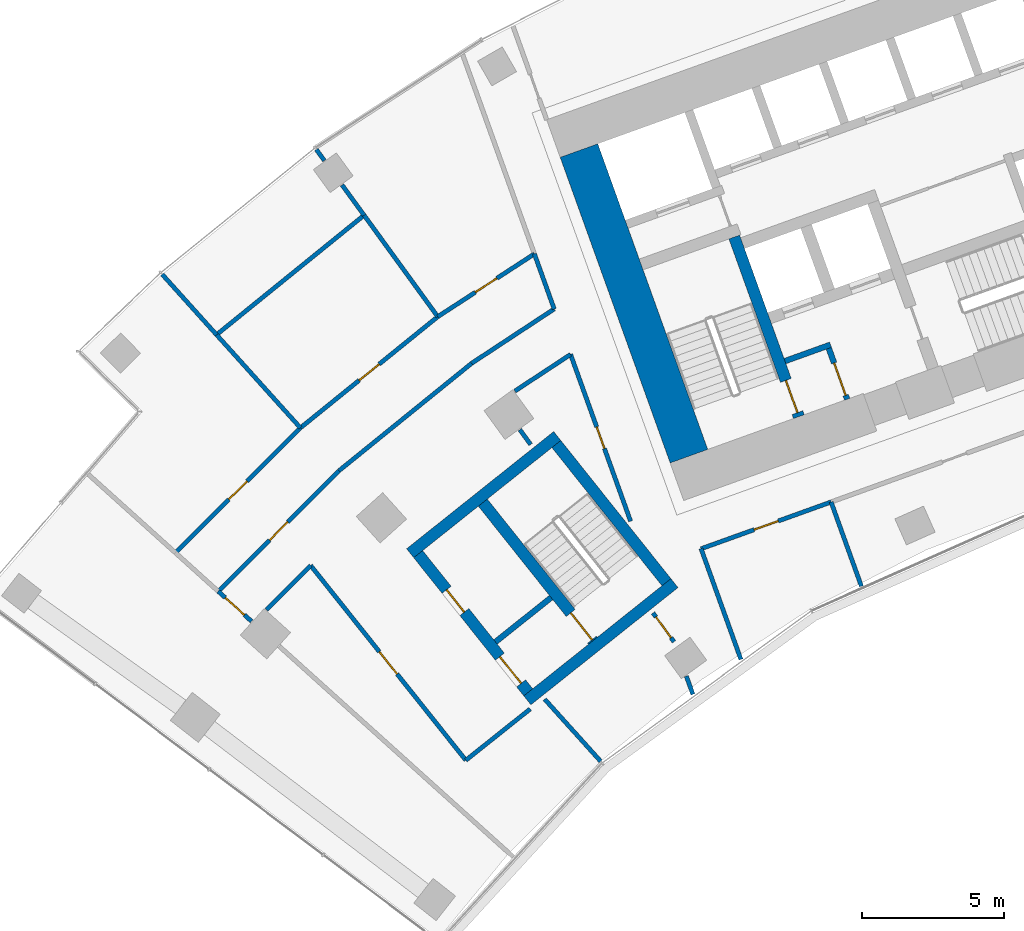
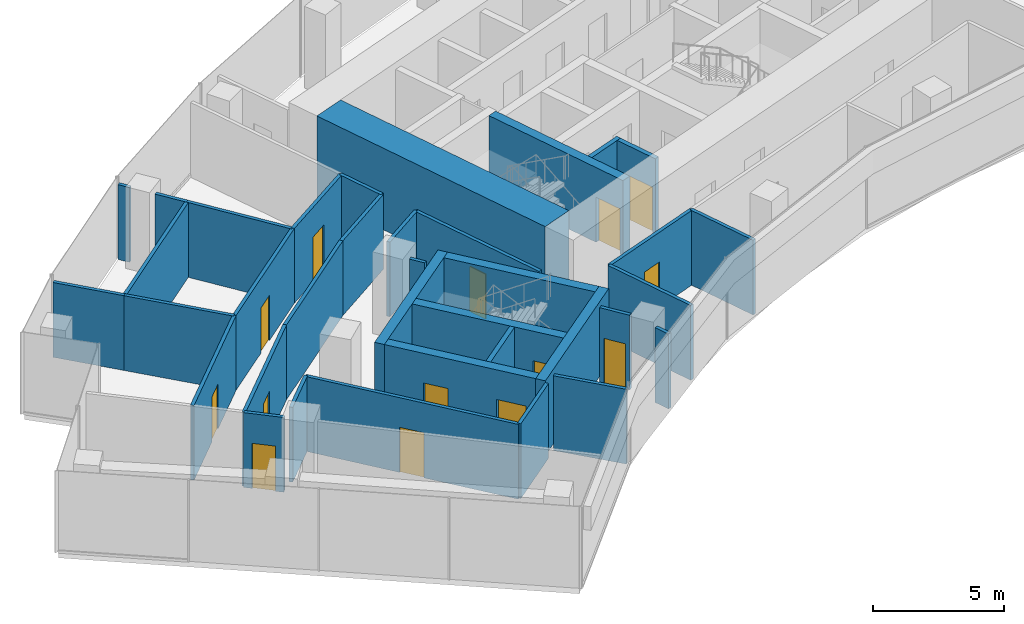
# One storey, part 13 of 20: 36 walls, 14 doors, 14 openings.
"""IFC4 building model written with IfcOpenShell, lengths in metres."""

from ifc_helpers import new_model, si_unit, direction, frame, frame_2d, origin, place, context, subcontext, project, spatial, rectangle, extrude, material, layer, layer_set, type_object, element, fill, save


model = new_model("IFC4")

# Units and contexts
model_context = context("Model", 3, precision=1e-05, world=origin(), true_north=direction((0.0, 1.0)))
body_context = subcontext(model_context, "Body", "Model", "MODEL_VIEW")
ifc_project = project(units=[si_unit("LENGTHUNIT", "METRE"), si_unit("AREAUNIT", "SQUARE_METRE"), si_unit("VOLUMEUNIT", "CUBIC_METRE"), si_unit("PLANEANGLEUNIT", "RADIAN"), si_unit("MASSUNIT", "GRAM", prefix="KILO")], contexts=[model_context])

# Site, building, storey
site_placement = place(None, origin())
site = spatial("IfcSite", under=ifc_project, at=site_placement, CompositionType="ELEMENT")
building_placement = place(site_placement, origin())
building = spatial("IfcBuilding", under=site, at=building_placement, Name="Stone Belt Terrace Tower", CompositionType="ELEMENT")
storey_placement = place(building_placement, frame((0.0, 0.0, 170.60009765625)))
storey = spatial("IfcBuildingStorey", under=building, at=storey_placement, Name="L41", CompositionType="ELEMENT", Elevation=170.60009765625)

# Walls
ifc_material_1 = material(Name="Concrete B80", Category="concrete")
ifc_layer_1 = layer(ifc_material_1, 1.39990234375)
ifc_layer_set_1 = layer_set([ifc_layer_1], Name="Core wall 1400 B80")
wall_type_1 = type_object("IfcWallType", Name="Core wall 1400 B80", PredefinedType="SHEAR", material=ifc_layer_set_1)
wall_1_placement = place(storey_placement, frame((-26.00927734375, 43.03515625, 0.0), z_axis=(0.0, 0.0, 1.0), x_axis=(-0.338625431531, 0.940921259788, 0.0)))
element("IfcWall", 1, at=wall_1_placement, inside=storey, type_object=wall_type_1, Name="Core A wall end_a L41", PredefinedType="SHEAR", context=body_context, shape_type="SweptSolid", body=[
    extrude(rectangle(XDim=11.400146484375, YDim=1.39990234375, at=frame_2d((5.7001953125, 0.0))), origin(), (0.0, 0.0, 1.0), 3.7998046875),
])
ifc_material_2 = material(Name="Gypsum board partition")
ifc_layer_2 = layer(ifc_material_2, 0.14990234375)
ifc_layer_set_2 = layer_set([ifc_layer_2], Name="PARTITION 150 EI 60")
wall_type_2 = type_object("IfcWallType", Name="PARTITION 150 EI 60", PredefinedType="PARTITIONING", material=ifc_layer_set_2)
wall_2_placement = place(storey_placement, frame((-25.5859375, 39.79296875, 0.0), z_axis=(0.0, 0.0, 1.0), x_axis=(0.338545933013, -0.940949866486, 0.0)))
element("IfcWall", 2, at=wall_2_placement, inside=storey, type_object=wall_type_2, Name="L41/wall/i001", PredefinedType="PARTITIONING", context=body_context, shape_type="SweptSolid", body=[
    extrude(rectangle(XDim=4.135009765625, YDim=0.14990234375, at=frame_2d((2.0673828125, 0.0))), origin(), (0.0, 0.0, 1.0), 3.47998046875),
])

# Wall, opening, door
wall_3_placement = place(storey_placement, frame((-28.05810546875, 40.75390625, 0.0), z_axis=(0.0, 0.0, 1.0), x_axis=(-0.338523697563, 0.94095786632, 0.0)))
wall_3 = element("IfcWall", 3, at=wall_3_placement, inside=storey, type_object=wall_type_2, Name="L41/wall/i003", PredefinedType="PARTITIONING", context=body_context, shape_type="SweptSolid", body=[
    extrude(rectangle(XDim=6.226806640625, YDim=0.14990234375, at=frame_2d((3.11328125, 0.0))), origin(), (0.0, 0.0, 1.0), 3.47998046875),
])
opening_1_placement = place(wall_3_placement, frame((2.71337890625, 0.0, 0.0)))
opening_1 = element("IfcOpeningElement", 4, at=opening_1_placement, cuts=wall_3, Name="Opening D-C3-12", PredefinedType="OPENING", context=body_context, shape_type="SweptSolid", body=[
    extrude(rectangle(XDim=0.800048828125, YDim=2.10009765625, at=frame_2d((0.39990234375, 1.050048828125))), frame((0.0, 0.0849609375, 0.0), z_axis=(0.0, -1.0, 0.0), x_axis=(1.0, 0.0, 0.0)), (0.0, 0.0, 1.0), 0.169921875),
])
ifc_material_3 = material(Name="Timber door leaf", Category="wood")
door_type_1 = type_object("IfcDoorType", Name="STORE DOOR 800 X 2100", OperationType="NOTDEFINED", PredefinedType="DOOR", material=ifc_material_3)
door_1_placement = place(opening_1_placement, origin())
door_1 = element("IfcDoor", 5, at=door_1_placement, inside=storey, type_object=door_type_1, Name="L41/door/i12", OperationType="SINGLE_SWING_RIGHT", OverallHeight=2.10009765625, OverallWidth=0.800048828125, PredefinedType="DOOR", context=body_context, shape_type="SweptSolid", body=[
    extrude(rectangle(XDim=0.800048828125, YDim=2.10009765625, at=frame_2d((0.39990234375, 1.050048828125))), frame((0.0, 0.02490234375, 0.0), z_axis=(0.0, -1.0, 0.0), x_axis=(1.0, 0.0, 0.0)), (0.0, 0.0, 1.0), 0.050048828125),
])
fill(opening_1, door_1)

# Wall
wall_4_placement = place(storey_placement, frame((-25.870849609375, 34.67822265625, 0.0), z_axis=(0.0, 0.0, 1.0), x_axis=(-0.338744881741, 0.940878262632, 0.0)))
element("IfcWall", 6, at=wall_4_placement, inside=storey, type_object=wall_type_2, Name="L41/wall/i004", PredefinedType="PARTITIONING", context=body_context, shape_type="SweptSolid", body=[
    extrude(rectangle(XDim=0.680419921875, YDim=0.14990234375, at=frame_2d((0.34033203125, 0.0))), origin(), (0.0, 0.0, 1.0), 3.47998046875),
])

# Wall, opening, door
wall_5_placement = place(storey_placement, frame((-26.534912109375, 36.52294921875, 0.0), z_axis=(0.0, 0.0, 1.0), x_axis=(-0.58822969918, 0.80869389821, 0.0)))
wall_5 = element("IfcWall", 7, at=wall_5_placement, inside=storey, type_object=wall_type_2, Name="L41/wall/i005", PredefinedType="PARTITIONING", context=body_context, shape_type="SweptSolid", body=[
    extrude(rectangle(XDim=1.25146484375, YDim=0.14990234375, at=frame_2d((0.625732421875, 0.0))), origin(), (0.0, 0.0, 1.0), 3.47998046875),
])
opening_2_placement = place(wall_5_placement, frame((0.17578125, 0.0, 0.0)))
opening_2 = element("IfcOpeningElement", 8, at=opening_2_placement, cuts=wall_5, Name="Opening D-C3-13", PredefinedType="OPENING", context=body_context, shape_type="SweptSolid", body=[
    extrude(rectangle(XDim=0.89990234375, YDim=2.10009765625, at=frame_2d((0.449951171875, 1.050048828125))), frame((0.0, 0.0849609375, 0.0), z_axis=(0.0, -1.0, 0.0), x_axis=(1.0, 0.0, 0.0)), (0.0, 0.0, 1.0), 0.169921875),
])
door_type_2 = type_object("IfcDoorType", Name="OFFICE DOOR 900 X 2100", OperationType="NOTDEFINED", PredefinedType="DOOR", material=ifc_material_3)
door_2_placement = place(opening_2_placement, origin())
door_2 = element("IfcDoor", 9, at=door_2_placement, inside=storey, type_object=door_type_2, Name="L41/door/i13", OperationType="SINGLE_SWING_RIGHT", OverallHeight=2.10009765625, OverallWidth=0.89990234375, PredefinedType="DOOR", context=body_context, shape_type="SweptSolid", body=[
    extrude(rectangle(XDim=0.89990234375, YDim=2.10009765625, at=frame_2d((0.449951171875, 1.050048828125))), frame((0.0, 0.02490234375, 0.0), z_axis=(0.0, -1.0, 0.0), x_axis=(1.0, 0.0, 0.0)), (0.0, 0.0, 1.0), 0.050048828125),
])
fill(opening_2, door_2)

# Wall
wall_6_placement = place(storey_placement, frame((-30.737060546875, 48.197021484375, 0.0), z_axis=(0.0, 0.0, 1.0), x_axis=(-0.338522672426, 0.940958235127, 0.0)))
element("IfcWall", 10, at=wall_6_placement, inside=storey, type_object=wall_type_2, Name="L41/wall/i006", PredefinedType="PARTITIONING", context=body_context, shape_type="SweptSolid", body=[
    extrude(rectangle(XDim=2.064697265625, YDim=0.14990234375, at=frame_2d((1.0322265625, 0.0))), origin(), (0.0, 0.0, 1.0), 3.47998046875),
])

# Wall, opening, door
wall_7_placement = place(storey_placement, frame((-21.01611328125, 41.430908203125, 0.0), z_axis=(0.0, 0.0, 1.0), x_axis=(-0.940929075781, -0.33860371284, 0.0)))
wall_7 = element("IfcWall", 11, at=wall_7_placement, inside=storey, type_object=wall_type_2, Name="L41/wall/i014", PredefinedType="PARTITIONING", context=body_context, shape_type="SweptSolid", body=[
    extrude(rectangle(XDim=4.854736328125, YDim=0.14990234375, at=frame_2d((2.42724609375, 0.0))), origin(), (0.0, 0.0, 1.0), 3.47998046875),
])
opening_3_placement = place(wall_7_placement, frame((1.977294921875, 0.0, 0.0)))
opening_3 = element("IfcOpeningElement", 12, at=opening_3_placement, cuts=wall_7, Name="Opening D-C3-01", PredefinedType="OPENING", context=body_context, shape_type="SweptSolid", body=[
    extrude(rectangle(XDim=0.89990234375, YDim=2.10009765625, at=frame_2d((0.449951171875, 1.050048828125))), frame((0.0, 0.0849609375, 0.0), z_axis=(0.0, -1.0, 0.0), x_axis=(1.0, 0.0, 0.0)), (0.0, 0.0, 1.0), 0.169921875),
])
door_3_placement = place(opening_3_placement, origin())
door_3 = element("IfcDoor", 13, at=door_3_placement, inside=storey, type_object=door_type_2, Name="L41/door/i01", OperationType="SINGLE_SWING_RIGHT", OverallHeight=2.10009765625, OverallWidth=0.89990234375, PredefinedType="DOOR", context=body_context, shape_type="SweptSolid", body=[
    extrude(rectangle(XDim=0.89990234375, YDim=2.10009765625, at=frame_2d((0.449951171875, 1.050048828125))), frame((0.0, 0.02490234375, 0.0), z_axis=(0.0, -1.0, 0.0), x_axis=(1.0, 0.0, 0.0)), (0.0, 0.0, 1.0), 0.050048828125),
])
fill(opening_3, door_3)

# Wall
wall_8_placement = place(storey_placement, frame((-21.02197265625, 41.428955078125, 0.0), z_axis=(0.0, 0.0, 1.0), x_axis=(0.338524253278, -0.940957666393, 0.0)))
element("IfcWall", 14, at=wall_8_placement, inside=storey, type_object=wall_type_2, Name="L41/wall/i017", PredefinedType="PARTITIONING", context=body_context, shape_type="SweptSolid", body=[
    extrude(rectangle(XDim=3.144287109375, YDim=0.14990234375, at=frame_2d((1.572265625, 0.0))), origin(), (0.0, 0.0, 1.0), 3.47998046875),
])

# Wall, opening, door
wall_9_placement = place(storey_placement, frame((-41.35986328125, 37.240478515625, 0.0), z_axis=(0.0, 0.0, 1.0), x_axis=(-0.742885543222, 0.669418456327, 0.0)))
wall_9 = element("IfcWall", 15, at=wall_9_placement, inside=storey, type_object=wall_type_2, Name="L41/wall/i040", PredefinedType="PARTITIONING", context=body_context, shape_type="SweptSolid", body=[
    extrude(rectangle(XDim=1.5751953125, YDim=0.14990234375, at=frame_2d((0.78759765625, 0.0))), origin(), (0.0, 0.0, 1.0), 3.47998046875),
])
opening_4_placement = place(wall_9_placement, frame((0.337646484375, 0.0, 0.0)))
opening_4 = element("IfcOpeningElement", 16, at=opening_4_placement, cuts=wall_9, Name="Opening D-C3-11", PredefinedType="OPENING", context=body_context, shape_type="SweptSolid", body=[
    extrude(rectangle(XDim=0.89990234375, YDim=2.10009765625, at=frame_2d((0.449951171875, 1.050048828125))), frame((0.0, 0.0849609375, 0.0), z_axis=(0.0, -1.0, 0.0), x_axis=(1.0, 0.0, 0.0)), (0.0, 0.0, 1.0), 0.169921875),
])
door_4_placement = place(opening_4_placement, origin())
door_4 = element("IfcDoor", 17, at=door_4_placement, inside=storey, type_object=door_type_2, Name="L41/door/i11", OperationType="SINGLE_SWING_RIGHT", OverallHeight=2.10009765625, OverallWidth=0.89990234375, PredefinedType="DOOR", context=body_context, shape_type="SweptSolid", body=[
    extrude(rectangle(XDim=0.89990234375, YDim=2.10009765625, at=frame_2d((0.449951171875, 1.050048828125))), frame((0.0, 0.02490234375, 0.0), z_axis=(0.0, -1.0, 0.0), x_axis=(1.0, 0.0, 0.0)), (0.0, 0.0, 1.0), 0.050048828125),
])
fill(opening_4, door_4)

# Walls
wall_10_placement = place(storey_placement, frame((-30.1650390625, 46.60595703125, 0.0), z_axis=(0.0, 0.0, 1.0), x_axis=(-0.835424653074, -0.549604993641, 0.0)))
element("IfcWall", 18, at=wall_10_placement, inside=storey, type_object=wall_type_2, Name="L41/wall/i044", PredefinedType="PARTITIONING", context=body_context, shape_type="SweptSolid", body=[
    extrude(rectangle(XDim=2.337890625, YDim=0.14990234375, at=frame_2d((1.1689453125, 0.0))), origin(), (0.0, 0.0, 1.0), 3.47998046875),
])
wall_11_placement = place(storey_placement, frame((-31.943115234375, 43.966064453125, 0.0), z_axis=(0.0, 0.0, 1.0), x_axis=(0.588149120926, -0.808752503275, 0.0)))
element("IfcWall", 19, at=wall_11_placement, inside=storey, type_object=wall_type_2, Name="L41/wall/i045", PredefinedType="PARTITIONING", context=body_context, shape_type="SweptSolid", body=[
    extrude(rectangle(XDim=0.64306640625, YDim=0.14990234375, at=frame_2d((0.321533203125, 0.0))), origin(), (0.0, 0.0, 1.0), 3.47998046875),
])
wall_12_placement = place(storey_placement, frame((-39.281982421875, 39.205078125, 0.0), z_axis=(0.0, 0.0, 1.0), x_axis=(-0.707106781187, -0.707106781187, 0.0)))
element("IfcWall", 20, at=wall_12_placement, inside=storey, type_object=wall_type_2, Name="L41/wall/i046", PredefinedType="PARTITIONING", context=body_context, shape_type="SweptSolid", body=[
    extrude(rectangle(XDim=2.1982421875, YDim=0.14990234375, at=frame_2d((1.09912109375, 0.0))), origin(), (0.0, 0.0, 1.0), 3.47998046875),
])

# Wall, opening, door
wall_13_placement = place(storey_placement, frame((-42.52587890625, 38.291015625, 0.0), z_axis=(0.0, 0.0, 1.0), x_axis=(0.707106781187, 0.707106781187, 0.0)))
wall_13 = element("IfcWall", 21, at=wall_13_placement, inside=storey, type_object=wall_type_2, Name="L41/wall/i047", PredefinedType="PARTITIONING", context=body_context, shape_type="SweptSolid", body=[
    extrude(rectangle(XDim=5.989013671875, YDim=0.14990234375, at=frame_2d((2.99462890625, 0.0))), origin(), (0.0, 0.0, 1.0), 3.47998046875),
])
opening_5_placement = place(wall_13_placement, frame((2.544677734375, 0.0, 0.0)))
opening_5 = element("IfcOpeningElement", 22, at=opening_5_placement, cuts=wall_13, Name="Opening D-C3-15", PredefinedType="OPENING", context=body_context, shape_type="SweptSolid", body=[
    extrude(rectangle(XDim=0.89990234375, YDim=2.10009765625, at=frame_2d((0.449951171875, 1.050048828125))), frame((0.0, 0.0849609375, 0.0), z_axis=(0.0, -1.0, 0.0), x_axis=(1.0, 0.0, 0.0)), (0.0, 0.0, 1.0), 0.169921875),
])
door_5_placement = place(opening_5_placement, origin())
door_5 = element("IfcDoor", 23, at=door_5_placement, inside=storey, type_object=door_type_2, Name="L41/door/i15", OperationType="SINGLE_SWING_RIGHT", OverallHeight=2.10009765625, OverallWidth=0.89990234375, PredefinedType="DOOR", context=body_context, shape_type="SweptSolid", body=[
    extrude(rectangle(XDim=0.89990234375, YDim=2.10009765625, at=frame_2d((0.449951171875, 1.050048828125))), frame((0.0, 0.02490234375, 0.0), z_axis=(0.0, -1.0, 0.0), x_axis=(1.0, 0.0, 0.0)), (0.0, 0.0, 1.0), 0.050048828125),
])
fill(opening_5, door_5)

# Walls
wall_14_placement = place(storey_placement, frame((-38.2900390625, 42.527099609375, 0.0), z_axis=(0.0, 0.0, 1.0), x_axis=(0.77714422733, 0.629322532513, 0.0)))
element("IfcWall", 24, at=wall_14_placement, inside=storey, type_object=wall_type_2, Name="L41/wall/i048", PredefinedType="PARTITIONING", context=body_context, shape_type="SweptSolid", body=[
    extrude(rectangle(XDim=5.98876953125, YDim=0.14990234375, at=frame_2d((2.994384765625, 0.0))), origin(), (0.0, 0.0, 1.0), 3.47998046875),
])
wall_15_placement = place(storey_placement, frame((-33.635986328125, 46.2958984375, 0.0), z_axis=(0.0, 0.0, 1.0), x_axis=(0.835274160171, 0.549833681535, 0.0)))
element("IfcWall", 25, at=wall_15_placement, inside=storey, type_object=wall_type_2, Name="L41/wall/i049", PredefinedType="PARTITIONING", context=body_context, shape_type="SweptSolid", body=[
    extrude(rectangle(XDim=3.46826171875, YDim=0.14990234375, at=frame_2d((1.734130859375, 0.0))), origin(), (0.0, 0.0, 1.0), 3.47998046875),
])
wall_16_placement = place(storey_placement, frame((-31.5810546875, 34.1650390625, 0.0), z_axis=(0.0, 0.0, 1.0), x_axis=(-0.782079504581, -0.623178665003, 0.0)))
element("IfcWall", 26, at=wall_16_placement, inside=storey, type_object=wall_type_2, Name="L41/wall/i050", PredefinedType="PARTITIONING", context=body_context, shape_type="SweptSolid", body=[
    extrude(rectangle(XDim=2.888427734375, YDim=0.14990234375, at=frame_2d((1.4443359375, 0.0))), origin(), (0.0, 0.0, 1.0), 3.47998046875),
])

# Wall, opening, door
wall_17_placement = place(storey_placement, frame((-33.840087890625, 32.364990234375, 0.0), z_axis=(0.0, 0.0, 1.0), x_axis=(-0.6230926474, 0.782148037622, 0.0)))
wall_17 = element("IfcWall", 27, at=wall_17_placement, inside=storey, type_object=wall_type_2, Name="L41/wall/i051", PredefinedType="PARTITIONING", context=body_context, shape_type="SweptSolid", body=[
    extrude(rectangle(XDim=8.739990234375, YDim=0.14990234375, at=frame_2d((4.3701171875, 0.0))), origin(), (0.0, 0.0, 1.0), 3.47998046875),
])
opening_6_placement = place(wall_17_placement, frame((3.8701171875, 0.0, 0.0)))
opening_6 = element("IfcOpeningElement", 28, at=opening_6_placement, cuts=wall_17, Name="Opening D-C3-14", PredefinedType="OPENING", context=body_context, shape_type="SweptSolid", body=[
    extrude(rectangle(XDim=1.0, YDim=2.10009765625, at=frame_2d((0.5, 1.050048828125))), frame((0.0, 0.0849609375, 0.0), z_axis=(0.0, -1.0, 0.0), x_axis=(1.0, 0.0, 0.0)), (0.0, 0.0, 1.0), 0.169921875),
])
ifc_material_4 = material(Name="Timber fire door leaf", Category="wood")
door_type_3 = type_object("IfcDoorType", Name="TENANCY ENTRANCE DOOR 1000 X 2100", OperationType="NOTDEFINED", PredefinedType="DOOR", material=ifc_material_4)
door_6_placement = place(opening_6_placement, origin())
door_6 = element("IfcDoor", 29, at=door_6_placement, inside=storey, type_object=door_type_3, Name="L41/door/i14", OperationType="SINGLE_SWING_RIGHT", OverallHeight=2.10009765625, OverallWidth=1.0, PredefinedType="DOOR", context=body_context, shape_type="SweptSolid", body=[
    extrude(rectangle(XDim=1.0, YDim=2.10009765625, at=frame_2d((0.5, 1.050048828125))), frame((0.0, 0.02490234375, 0.0), z_axis=(0.0, -1.0, 0.0), x_axis=(1.0, 0.0, 0.0)), (0.0, 0.0, 1.0), 0.050048828125),
])
fill(opening_6, door_6)

# Wall
wall_18_placement = place(storey_placement, frame((-29.107177734375, 32.32666015625, 0.0), z_axis=(0.0, 0.0, 1.0), x_axis=(-0.669245075227, 0.74304174128, 0.0)))
element("IfcWall", 30, at=wall_18_placement, inside=storey, type_object=wall_type_2, Name="L41/wall/i052", PredefinedType="PARTITIONING", context=body_context, shape_type="SweptSolid", body=[
    extrude(rectangle(XDim=2.9345703125, YDim=0.14990234375, at=frame_2d((1.46728515625, 0.0))), origin(), (0.0, 0.0, 1.0), 3.47998046875),
])

# Wall, opening, door
wall_19_placement = place(storey_placement, frame((-44.029052734375, 39.64501953125, 0.0), z_axis=(0.0, 0.0, 1.0), x_axis=(0.707106781187, 0.707106781187, 0.0)))
wall_19 = element("IfcWall", 31, at=wall_19_placement, inside=storey, type_object=wall_type_2, Name="L41/wall/i053", PredefinedType="PARTITIONING", context=body_context, shape_type="SweptSolid", body=[
    extrude(rectangle(XDim=6.201416015625, YDim=0.14990234375, at=frame_2d((3.1005859375, 0.0))), origin(), (0.0, 0.0, 1.0), 3.47998046875),
])
opening_7_placement = place(wall_19_placement, frame((2.650634765625, 0.0, 0.0)))
opening_7 = element("IfcOpeningElement", 32, at=opening_7_placement, cuts=wall_19, Name="Opening D-C3-16", PredefinedType="OPENING", context=body_context, shape_type="SweptSolid", body=[
    extrude(rectangle(XDim=0.89990234375, YDim=2.10009765625, at=frame_2d((0.449951171875, 1.050048828125))), frame((0.0, 0.0849609375, 0.0), z_axis=(0.0, -1.0, 0.0), x_axis=(1.0, 0.0, 0.0)), (0.0, 0.0, 1.0), 0.169921875),
])
door_7_placement = place(opening_7_placement, origin())
door_7 = element("IfcDoor", 33, at=door_7_placement, inside=storey, type_object=door_type_2, Name="L41/door/i16", OperationType="SINGLE_SWING_RIGHT", OverallHeight=2.10009765625, OverallWidth=0.89990234375, PredefinedType="DOOR", context=body_context, shape_type="SweptSolid", body=[
    extrude(rectangle(XDim=0.89990234375, YDim=2.10009765625, at=frame_2d((0.449951171875, 1.050048828125))), frame((0.0, 0.02490234375, 0.0), z_axis=(0.0, -1.0, 0.0), x_axis=(1.0, 0.0, 0.0)), (0.0, 0.0, 1.0), 0.050048828125),
])
fill(opening_7, door_7)

wall_20_placement = place(storey_placement, frame((-39.64404296875, 44.030029296875, 0.0), z_axis=(0.0, 0.0, 1.0), x_axis=(0.777190769916, 0.629265053184, 0.0)))
wall_20 = element("IfcWall", 34, at=wall_20_placement, inside=storey, type_object=wall_type_2, Name="L41/wall/i054", PredefinedType="PARTITIONING", context=body_context, shape_type="SweptSolid", body=[
    extrude(rectangle(XDim=6.20068359375, YDim=0.14990234375, at=frame_2d((3.100341796875, 0.0))), origin(), (0.0, 0.0, 1.0), 3.47998046875),
])
opening_8_placement = place(wall_20_placement, frame((2.650390625, 0.0, 0.0)))
opening_8 = element("IfcOpeningElement", 35, at=opening_8_placement, cuts=wall_20, Name="Opening D-C3-17", PredefinedType="OPENING", context=body_context, shape_type="SweptSolid", body=[
    extrude(rectangle(XDim=0.89990234375, YDim=2.10009765625, at=frame_2d((0.449951171875, 1.050048828125))), frame((0.0, 0.0849609375, 0.0), z_axis=(0.0, -1.0, 0.0), x_axis=(1.0, 0.0, 0.0)), (0.0, 0.0, 1.0), 0.169921875),
])
door_8_placement = place(opening_8_placement, origin())
door_8 = element("IfcDoor", 36, at=door_8_placement, inside=storey, type_object=door_type_2, Name="L41/door/i17", OperationType="SINGLE_SWING_RIGHT", OverallHeight=2.10009765625, OverallWidth=0.89990234375, PredefinedType="DOOR", context=body_context, shape_type="SweptSolid", body=[
    extrude(rectangle(XDim=0.89990234375, YDim=2.10009765625, at=frame_2d((0.449951171875, 1.050048828125))), frame((0.0, 0.02490234375, 0.0), z_axis=(0.0, -1.0, 0.0), x_axis=(1.0, 0.0, 0.0)), (0.0, 0.0, 1.0), 0.050048828125),
])
fill(opening_8, door_8)

wall_21_placement = place(storey_placement, frame((-34.824951171875, 47.931884765625, 0.0), z_axis=(0.0, 0.0, 1.0), x_axis=(0.838660143757, 0.544655086521, 0.0)))
wall_21 = element("IfcWall", 37, at=wall_21_placement, inside=storey, type_object=wall_type_2, Name="L41/wall/i055", PredefinedType="PARTITIONING", context=body_context, shape_type="SweptSolid", body=[
    extrude(rectangle(XDim=4.043212890625, YDim=0.14990234375, at=frame_2d((2.021484375, 0.0))), origin(), (0.0, 0.0, 1.0), 3.47998046875),
])
opening_9_placement = place(wall_21_placement, frame((1.571533203125, 0.0, 0.0)))
opening_9 = element("IfcOpeningElement", 38, at=opening_9_placement, cuts=wall_21, Name="Opening D-C3-18", PredefinedType="OPENING", context=body_context, shape_type="SweptSolid", body=[
    extrude(rectangle(XDim=0.89990234375, YDim=2.10009765625, at=frame_2d((0.449951171875, 1.050048828125))), frame((0.0, 0.0849609375, 0.0), z_axis=(0.0, -1.0, 0.0), x_axis=(1.0, 0.0, 0.0)), (0.0, 0.0, 1.0), 0.169921875),
])
door_9_placement = place(opening_9_placement, origin())
door_9 = element("IfcDoor", 39, at=door_9_placement, inside=storey, type_object=door_type_2, Name="L41/door/i18", OperationType="SINGLE_SWING_RIGHT", OverallHeight=2.10009765625, OverallWidth=0.89990234375, PredefinedType="DOOR", context=body_context, shape_type="SweptSolid", body=[
    extrude(rectangle(XDim=0.89990234375, YDim=2.10009765625, at=frame_2d((0.449951171875, 1.050048828125))), frame((0.0, 0.02490234375, 0.0), z_axis=(0.0, -1.0, 0.0), x_axis=(1.0, 0.0, 0.0)), (0.0, 0.0, 1.0), 0.050048828125),
])
fill(opening_9, door_9)

# Walls
wall_22_placement = place(storey_placement, frame((-42.592041015625, 47.302978515625, 0.0), z_axis=(0.0, 0.0, 1.0), x_axis=(0.669258646934, -0.74302951725, 0.0)))
element("IfcWall", 40, at=wall_22_placement, inside=storey, type_object=wall_type_2, Name="L41/wall/i056", PredefinedType="PARTITIONING", context=body_context, shape_type="SweptSolid", body=[
    extrude(rectangle(XDim=4.40478515625, YDim=0.14990234375, at=frame_2d((2.202392578125, 0.0))), origin(), (0.0, 0.0, 1.0), 3.47998046875),
])
wall_23_placement = place(storey_placement, frame((-44.496826171875, 49.41943359375, 0.0), z_axis=(0.0, 0.0, 1.0), x_axis=(0.66894586308, -0.743311127502, 0.0)))
element("IfcWall", 41, at=wall_23_placement, inside=storey, type_object=wall_type_2, Name="L41/wall/i057", PredefinedType="PARTITIONING", context=body_context, shape_type="SweptSolid", body=[
    extrude(rectangle(XDim=2.859375, YDim=0.14990234375, at=frame_2d((1.4296875, 0.0))), origin(), (0.0, 0.0, 1.0), 3.47998046875),
])
wall_24_placement = place(storey_placement, frame((-42.587890625, 47.299072265625, 0.0), z_axis=(0.0, 0.0, 1.0), x_axis=(0.777100621569, 0.629376377025, 0.0)))
element("IfcWall", 42, at=wall_24_placement, inside=storey, type_object=wall_type_2, Name="L41/wall/i058", PredefinedType="PARTITIONING", context=body_context, shape_type="SweptSolid", body=[
    extrude(rectangle(XDim=6.661865234375, YDim=0.14990234375, at=frame_2d((3.3310546875, 0.0))), origin(), (0.0, 0.0, 1.0), 3.47998046875),
])
wall_25_placement = place(storey_placement, frame((-37.410888671875, 51.491943359375, 0.0), z_axis=(0.0, 0.0, 1.0), x_axis=(0.587696525109, -0.809081451014, 0.0)))
element("IfcWall", 43, at=wall_25_placement, inside=storey, type_object=wall_type_2, Name="L41/wall/i059", PredefinedType="PARTITIONING", context=body_context, shape_type="SweptSolid", body=[
    extrude(rectangle(XDim=4.400146484375, YDim=0.14990234375, at=frame_2d((2.2001953125, 0.0))), origin(), (0.0, 0.0, 1.0), 3.47998046875),
])
wall_26_placement = place(storey_placement, frame((-39.087890625, 53.7998046875, 0.0), z_axis=(0.0, 0.0, 1.0), x_axis=(0.587839914735, -0.808977276964, 0.0)))
element("IfcWall", 44, at=wall_26_placement, inside=storey, type_object=wall_type_2, Name="L41/wall/i060", PredefinedType="PARTITIONING", context=body_context, shape_type="SweptSolid", body=[
    extrude(rectangle(XDim=0.4814453125, YDim=0.14990234375, at=frame_2d((0.24072265625, 0.0))), origin(), (0.0, 0.0, 1.0), 3.47998046875),
])
wall_27_placement = place(storey_placement, frame((-38.181884765625, 52.552978515625, 0.0), z_axis=(0.0, 0.0, 1.0), x_axis=(0.587839609229, -0.808977498958, 0.0)))
element("IfcWall", 45, at=wall_27_placement, inside=storey, type_object=wall_type_2, Name="L41/wall/i061", PredefinedType="PARTITIONING", context=body_context, shape_type="SweptSolid", body=[
    extrude(rectangle(XDim=1.3115234375, YDim=0.14990234375, at=frame_2d((0.65576171875, 0.0))), origin(), (0.0, 0.0, 1.0), 3.47998046875),
])
ifc_material_5 = material(Name="Concrete masonry block", Category="masonry")
ifc_layer_3 = layer(ifc_material_5, 0.199951171875)
ifc_layer_set_3 = layer_set([ifc_layer_3], Name="Rated lobby wall 200")
wall_type_3 = type_object("IfcWallType", Name="Rated lobby wall 200", PredefinedType="PARTITIONING", material=ifc_layer_set_3)
wall_28_placement = place(storey_placement, frame((-22.640625, 46.373046875, 0.0), z_axis=(0.0, 0.0, 1.0), x_axis=(0.940966110313, 0.338500781747, 0.0)))
element("IfcWall", 46, at=wall_28_placement, inside=storey, type_object=wall_type_3, Name="Core A wall", PredefinedType="PARTITIONING", context=body_context, shape_type="SweptSolid", body=[
    extrude(rectangle(XDim=1.699951171875, YDim=0.199951171875, at=frame_2d((0.85009765625, 0.0))), origin(), (0.0, 0.0, 1.0), 3.47998046875),
])

# Wall, opening, door
wall_29_placement = place(storey_placement, frame((-20.4580078125, 45.032958984375, 0.0), z_axis=(0.0, 0.0, 1.0), x_axis=(-0.338573865316, 0.940939816208, 0.0)))
wall_29 = element("IfcWall", 47, at=wall_29_placement, inside=storey, type_object=wall_type_3, Name="Core A wall", PredefinedType="PARTITIONING", context=body_context, shape_type="SweptSolid", body=[
    extrude(rectangle(XDim=1.900146484375, YDim=0.199951171875, at=frame_2d((0.9501953125, 0.0))), origin(), (0.0, 0.0, 1.0), 3.47998046875),
])
opening_10_placement = place(wall_29_placement, frame((0.14990234375, 0.0, 0.0)))
opening_10 = element("IfcOpeningElement", 48, at=opening_10_placement, cuts=wall_29, Name="Opening L41-C06", PredefinedType="OPENING", context=body_context, shape_type="SweptSolid", body=[
    extrude(rectangle(XDim=1.199951171875, YDim=2.10009765625, at=frame_2d((0.60009765625, 1.050048828125))), frame((0.0, 0.10986328125, 0.0), z_axis=(0.0, -1.0, 0.0), x_axis=(1.0, 0.0, 0.0)), (0.0, 0.0, 1.0), 0.219970703125),
])
ifc_material_6 = material(Name="Steel door leaf", Category="steel")
door_type_4 = type_object("IfcDoorType", Name="Stair door 1200", OperationType="SINGLE_SWING_LEFT", PredefinedType="DOOR", material=ifc_material_6)
door_10_placement = place(opening_10_placement, origin())
door_10 = element("IfcDoor", 49, at=door_10_placement, inside=storey, type_object=door_type_4, Name="Stair airlock door core A", OperationType="SINGLE_SWING_RIGHT", OverallHeight=2.10009765625, OverallWidth=1.199951171875, PredefinedType="DOOR", context=body_context, shape_type="SweptSolid", body=[
    extrude(rectangle(XDim=1.199951171875, YDim=2.10009765625, at=frame_2d((0.60009765625, 1.050048828125))), frame((0.0, 0.02490234375, 0.0), z_axis=(0.0, -1.0, 0.0), x_axis=(1.0, 0.0, 0.0)), (0.0, 0.0, 1.0), 0.050048828125),
])
fill(opening_10, door_10)

# Wall
wall_30_placement = place(storey_placement, frame((-30.845703125, 38.074951171875, 0.0), z_axis=(0.0, 0.0, 1.0), x_axis=(-0.782115323833, -0.623133709749, 0.0)))
element("IfcWall", 50, at=wall_30_placement, inside=storey, type_object=wall_type_3, Name="Exit stair ST3A wall", PredefinedType="PARTITIONING", context=body_context, shape_type="SweptSolid", body=[
    extrude(rectangle(XDim=2.5, YDim=0.199951171875, at=frame_2d((1.25, 0.0))), origin(), (0.0, 0.0, 1.0), 3.47998046875),
])

# Wall, opening, door
ifc_layer_4 = layer(ifc_material_1, 0.39990234375)
ifc_layer_set_4 = layer_set([ifc_layer_4], Name="Stair enclosure wall 400")
wall_type_4 = type_object("IfcWallType", Name="Stair enclosure wall 400", PredefinedType="SHEAR", material=ifc_layer_set_4)
wall_31_placement = place(storey_placement, frame((-22.151611328125, 44.42333984375, 0.0), z_axis=(0.0, 0.0, 1.0), x_axis=(-0.338625272931, 0.940921316866, 0.0)))
wall_31 = element("IfcWall", 51, at=wall_31_placement, inside=storey, type_object=wall_type_4, Name="Core A wall", PredefinedType="SHEAR", context=body_context, shape_type="SweptSolid", body=[
    extrude(rectangle(XDim=6.699951171875, YDim=0.39990234375, at=frame_2d((3.35009765625, 0.0))), origin(), (0.0, 0.0, 1.0), 3.47998046875),
])
opening_11_placement = place(wall_31_placement, frame((0.14990234375, 0.0, 0.0)))
opening_11 = element("IfcOpeningElement", 52, at=opening_11_placement, cuts=wall_31, Name="Opening L41-C05", PredefinedType="OPENING", context=body_context, shape_type="SweptSolid", body=[
    extrude(rectangle(XDim=1.199951171875, YDim=2.10009765625, at=frame_2d((0.60009765625, 1.050048828125))), frame((0.0, 0.2099609375, 0.0), z_axis=(0.0, -1.0, 0.0), x_axis=(1.0, 0.0, 0.0)), (0.0, 0.0, 1.0), 0.419921875),
])
door_11_placement = place(opening_11_placement, origin())
door_11 = element("IfcDoor", 53, at=door_11_placement, inside=storey, type_object=door_type_4, Name="Stair 1 door core A", OperationType="SINGLE_SWING_RIGHT", OverallHeight=2.10009765625, OverallWidth=1.199951171875, PredefinedType="DOOR", context=body_context, shape_type="SweptSolid", body=[
    extrude(rectangle(XDim=1.199951171875, YDim=2.10009765625, at=frame_2d((0.60009765625, 1.050048828125))), frame((0.0, 0.02490234375, 0.0), z_axis=(0.0, -1.0, 0.0), x_axis=(1.0, 0.0, 0.0)), (0.0, 0.0, 1.0), 0.050048828125),
])
fill(opening_11, door_11)

# Walls
for number, where, z_axis, x_axis, name in (
    (54, (-26.518798828125, 38.58154296875, 0.0), (0.0, 0.0, 1.0), (-0.782133914161, -0.623110375711, 0.0), "Exit stair ST3A wall"),
    (55, (-30.63134765625, 43.74365234375, 0.0), (0.0, 0.0, 1.0), (-0.782133914161, -0.623110375711, 0.0), "Exit stair ST3A wall"),
):
    element("IfcWall", number, at=place(storey_placement, frame(where, z_axis=z_axis, x_axis=x_axis)), inside=storey, type_object=wall_type_4, Name=name, PredefinedType="SHEAR", context=body_context, shape_type="SweptSolid", body=[
        extrude(rectangle(XDim=6.60009765625, YDim=0.39990234375, at=frame_2d((3.300048828125, 0.0))), origin(), (0.0, 0.0, 1.0), 3.47998046875),
    ])
wall_32_placement = place(storey_placement, frame((-26.7998046875, 38.61328125, 0.0), z_axis=(0.0, 0.0, 1.0), x_axis=(-0.623118653668, 0.782127319208, 0.0)))
element("IfcWall", 56, at=wall_32_placement, inside=storey, type_object=wall_type_4, Name="Exit stair ST3A wall", PredefinedType="SHEAR", context=body_context, shape_type="SweptSolid", body=[
    extrude(rectangle(XDim=6.199951171875, YDim=0.39990234375, at=frame_2d((3.10009765625, 0.0))), origin(), (0.0, 0.0, 1.0), 3.47998046875),
])

# Wall, openings, doors
wall_33_placement = place(storey_placement, frame((-31.64892578125, 34.75, 0.0), z_axis=(0.0, 0.0, 1.0), x_axis=(-0.623118653668, 0.782127319208, 0.0)))
wall_33 = element("IfcWall", 57, at=wall_33_placement, inside=storey, type_object=wall_type_4, Name="Exit stair ST3A wall", PredefinedType="SHEAR", context=body_context, shape_type="SweptSolid", body=[
    extrude(rectangle(XDim=6.199951171875, YDim=0.39990234375, at=frame_2d((3.10009765625, 0.0))), origin(), (0.0, 0.0, 1.0), 3.47998046875),
])
opening_12_placement = place(wall_33_placement, frame((0.39990234375, 0.0, 0.0)))
opening_12 = element("IfcOpeningElement", 58, at=opening_12_placement, cuts=wall_33, Name="Opening L41-C24", PredefinedType="OPENING", context=body_context, shape_type="SweptSolid", body=[
    extrude(rectangle(XDim=1.199951171875, YDim=2.10009765625, at=frame_2d((0.60009765625, 1.050048828125))), frame((0.0, 0.2099609375, 0.0), z_axis=(0.0, -1.0, 0.0), x_axis=(1.0, 0.0, 0.0)), (0.0, 0.0, 1.0), 0.419921875),
])
opening_13_placement = place(wall_33_placement, frame((3.60009765625, 0.0, 0.0)))
opening_13 = element("IfcOpeningElement", 59, at=opening_13_placement, cuts=wall_33, Name="Opening L41-C25", PredefinedType="OPENING", context=body_context, shape_type="SweptSolid", body=[
    extrude(rectangle(XDim=1.0, YDim=2.10009765625, at=frame_2d((0.5, 1.050048828125))), frame((0.0, 0.2099609375, 0.0), z_axis=(0.0, -1.0, 0.0), x_axis=(1.0, 0.0, 0.0)), (0.0, 0.0, 1.0), 0.419921875),
])
door_type_5 = type_object("IfcDoorType", Name="Core room door 1000", OperationType="SINGLE_SWING_LEFT", PredefinedType="DOOR", material=ifc_material_3)
door_12_placement = place(opening_13_placement, origin())
door_12 = element("IfcDoor", 60, at=door_12_placement, inside=storey, type_object=door_type_5, Name="Door to stair pressurisation plant room ST3A", OperationType="SINGLE_SWING_LEFT", OverallHeight=2.10009765625, OverallWidth=1.0, PredefinedType="DOOR", context=body_context, shape_type="SweptSolid", body=[
    extrude(rectangle(XDim=1.0, YDim=2.10009765625, at=frame_2d((0.5, 1.050048828125))), frame((0.0, 0.02490234375, 0.0), z_axis=(0.0, -1.0, 0.0), x_axis=(1.0, 0.0, 0.0)), (0.0, 0.0, 1.0), 0.050048828125),
])
fill(opening_13, door_12)
door_type_6 = type_object("IfcDoorType", Name="Stair airlock door 1200", OperationType="SINGLE_SWING_LEFT", PredefinedType="DOOR", material=ifc_material_6)
door_13_placement = place(opening_12_placement, origin())
door_13 = element("IfcDoor", 61, at=door_13_placement, inside=storey, type_object=door_type_6, Name="Stair airlock door ST3A", OperationType="SINGLE_SWING_LEFT", OverallHeight=2.10009765625, OverallWidth=1.199951171875, PredefinedType="DOOR", context=body_context, shape_type="SweptSolid", body=[
    extrude(rectangle(XDim=1.199951171875, YDim=2.10009765625, at=frame_2d((0.60009765625, 1.050048828125))), frame((0.0, 0.02490234375, 0.0), z_axis=(0.0, -1.0, 0.0), x_axis=(1.0, 0.0, 0.0)), (0.0, 0.0, 1.0), 0.050048828125),
])
fill(opening_12, door_13)

# Wall, opening, door
wall_34_placement = place(storey_placement, frame((-29.380859375, 36.556884765625, 0.0), z_axis=(0.0, 0.0, 1.0), x_axis=(-0.623099462847, 0.782142608097, 0.0)))
wall_34 = element("IfcWall", 62, at=wall_34_placement, inside=storey, type_object=wall_type_4, Name="Exit stair ST3A wall", PredefinedType="SHEAR", context=body_context, shape_type="SweptSolid", body=[
    extrude(rectangle(XDim=6.2001953125, YDim=0.39990234375, at=frame_2d((3.10009765625, 0.0))), origin(), (0.0, 0.0, 1.0), 3.47998046875),
])
opening_14_placement = place(wall_34_placement, frame((0.050048828125, 0.0, 0.0)))
opening_14 = element("IfcOpeningElement", 63, at=opening_14_placement, cuts=wall_34, Name="Opening L41-C23", PredefinedType="OPENING", context=body_context, shape_type="SweptSolid", body=[
    extrude(rectangle(XDim=1.199951171875, YDim=2.10009765625, at=frame_2d((0.60009765625, 1.050048828125))), frame((0.0, 0.2099609375, 0.0), z_axis=(0.0, -1.0, 0.0), x_axis=(1.0, 0.0, 0.0)), (0.0, 0.0, 1.0), 0.419921875),
])
door_14_placement = place(opening_14_placement, origin())
door_14 = element("IfcDoor", 64, at=door_14_placement, inside=storey, type_object=door_type_4, Name="Stair door ST3A", OperationType="SINGLE_SWING_RIGHT", OverallHeight=2.10009765625, OverallWidth=1.199951171875, PredefinedType="DOOR", context=body_context, shape_type="SweptSolid", body=[
    extrude(rectangle(XDim=1.199951171875, YDim=2.10009765625, at=frame_2d((0.60009765625, 1.050048828125))), frame((0.0, 0.02490234375, 0.0), z_axis=(0.0, -1.0, 0.0), x_axis=(1.0, 0.0, 0.0)), (0.0, 0.0, 1.0), 0.050048828125),
])
fill(opening_14, door_14)

save(model, "model.ifc")
